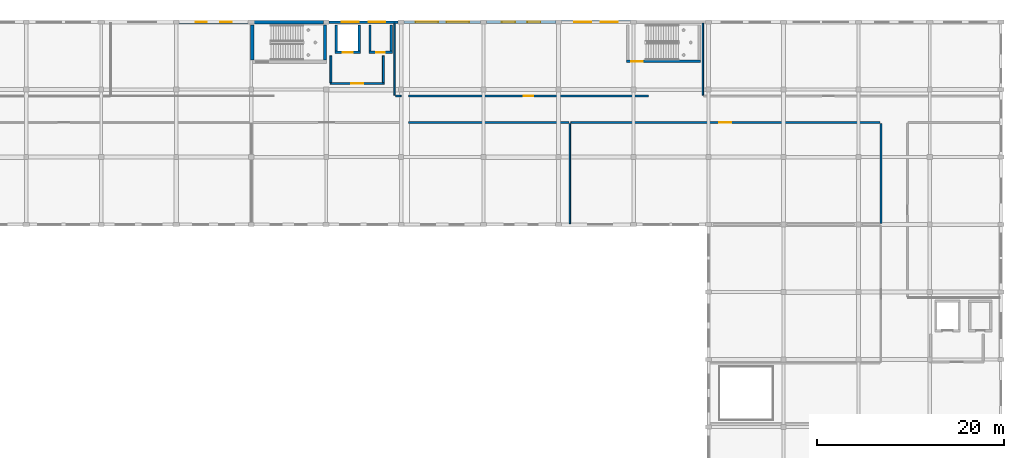
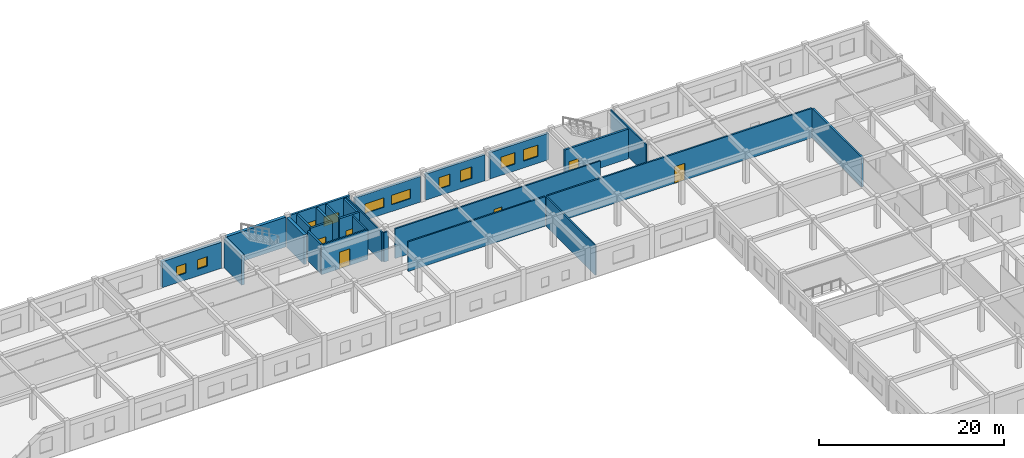
# One storey, part 13 of 19: 26 walls, 10 windows, 6 doors, 16 openings.
"""IFC4 building model written with IfcOpenShell, lengths in metres."""

from ifc_helpers import new_model, si_unit, direction, frame, frame_2d, origin, place, context, subcontext, project, spatial, rectangle, extrude, material, layer, layer_set, type_object, element, fill, save


model = new_model("IFC4")

# Units and contexts
model_context = context("Model", 3, precision=1e-05, world=origin(), true_north=direction((0.0, 1.0)))
body_context = subcontext(model_context, "Body", "Model", "MODEL_VIEW")
ifc_project = project(units=[si_unit("LENGTHUNIT", "METRE"), si_unit("AREAUNIT", "SQUARE_METRE"), si_unit("VOLUMEUNIT", "CUBIC_METRE"), si_unit("PLANEANGLEUNIT", "RADIAN"), si_unit("MASSUNIT", "GRAM", prefix="KILO")], contexts=[model_context])

# Site, building, storey
site_placement = place(None, origin())
site = spatial("IfcSite", under=ifc_project, at=site_placement, CompositionType="ELEMENT")
building_placement = place(site_placement, origin())
building = spatial("IfcBuilding", under=site, at=building_placement, Name="Kharva Crest Polytechnic", CompositionType="ELEMENT")
storey_placement = place(building_placement, frame((0.0, 0.0, 21.60009765625)))
storey = spatial("IfcBuildingStorey", under=building, at=storey_placement, Name="L05", CompositionType="ELEMENT", Elevation=21.60009765625)

# Walls
ifc_material_1 = material(Name="Concrete C40/50", Category="concrete")
ifc_layer_1 = layer(ifc_material_1, 0.35009765625, Name="Concrete C40/50")
ifc_layer_set_1 = layer_set([ifc_layer_1], Name="Concrete C40/50")
wall_type_1 = type_object("IfcWallType", Name="WL-CORE-CW1-350", PredefinedType="SHEAR", material=ifc_layer_set_1)
for number, where, z_axis, x_axis, name in (
    (1, (104.125, 117.93994140625, 0.0), (0.0, 0.0, 1.0), (0.0, 1.0, 0.0), "L05 North Crest Firefighting Core C4 West Shear Wall"),
    (2, (111.875, 117.93994140625, 0.0), (0.0, 0.0, 1.0), (0.0, 1.0, 0.0), "L05 North Crest Firefighting Core C4 East Shear Wall"),
):
    element("IfcWall", number, at=place(storey_placement, frame(where, z_axis=z_axis, x_axis=x_axis)), inside=storey, type_object=wall_type_1, Name=name, PredefinedType="SHEAR", context=body_context, shape_type="SweptSolid", body=[
        extrude(rectangle(XDim=3.760009765625, YDim=0.35009765625, at=frame_2d((1.8798828125, 0.0))), origin(), (0.0, 0.0, 1.0), 3.919921875),
    ])

# Wall, openings, windows
ifc_material_2 = material(Name="Kiln brick masonry", Category="masonry")
ifc_layer_2 = layer(ifc_material_2, 0.260009765625, Name="Kiln brick masonry")
ifc_layer_set_2 = layer_set([ifc_layer_2], Name="Kiln brick masonry")
wall_type_2 = type_object("IfcWallType", Name="WL-EXT-BRK-260", PredefinedType="SOLIDWALL", material=ifc_layer_set_2)
wall_1_placement = place(storey_placement, frame((119.679931640625, 122.0, 0.0), z_axis=(0.0, 0.0, 1.0), x_axis=(-1.0, 0.0, 0.0)))
wall_1 = element("IfcWall", 3, at=wall_1_placement, inside=storey, type_object=wall_type_2, Name="L05 Exterior Brick Wall 431", PredefinedType="SOLIDWALL", context=body_context, shape_type="SweptSolid", body=[
    extrude(rectangle(XDim=7.375, YDim=0.260009765625, at=frame_2d((3.6875, 0.0))), origin(), (0.0, 0.0, 1.0), 3.919921875),
])
opening_1_placement = place(wall_1_placement, frame((1.364990234375, 0.0, 0.89990234375)))
opening_1 = element("IfcOpeningElement", 4, at=opening_1_placement, cuts=wall_1, Name="Opening W19", PredefinedType="OPENING", context=body_context, shape_type="SweptSolid", body=[
    extrude(rectangle(XDim=1.800048828125, YDim=1.25, at=frame_2d((0.89990234375, 0.625))), frame((0.0, 0.139892578125, 0.0), z_axis=(0.0, -1.0, 0.0), x_axis=(1.0, 0.0, 0.0)), (0.0, 0.0, 1.0), 0.280029296875),
])
opening_2_placement = place(wall_1_placement, frame((4.2099609375, 0.0, 0.89990234375)))
opening_2 = element("IfcOpeningElement", 5, at=opening_2_placement, cuts=wall_1, Name="Opening W19", PredefinedType="OPENING", context=body_context, shape_type="SweptSolid", body=[
    extrude(rectangle(XDim=1.800048828125, YDim=1.25, at=frame_2d((0.89990234375, 0.625))), frame((0.0, 0.139892578125, 0.0), z_axis=(0.0, -1.0, 0.0), x_axis=(1.0, 0.0, 0.0)), (0.0, 0.0, 1.0), 0.280029296875),
])
ifc_material_3 = material(Name="Anodised aluminium", Category="aluminium")
window_type_1 = type_object("IfcWindowType", Name="WIN-ALU-1800X1250", PartitioningType="SINGLE_PANEL", PredefinedType="WINDOW", material=ifc_material_3)
window_1_placement = place(opening_1_placement, origin())
window_1 = element("IfcWindow", 6, at=window_1_placement, inside=storey, type_object=window_type_1, Name="L05 Exterior Window 613", OverallHeight=1.25, OverallWidth=1.800048828125, PartitioningType="SINGLE_PANEL", PredefinedType="WINDOW", context=body_context, shape_type="SweptSolid", body=[
    extrude(rectangle(XDim=1.800048828125, YDim=1.25, at=frame_2d((0.89990234375, 0.625))), frame((0.0, 0.030029296875, 0.0), z_axis=(0.0, -1.0, 0.0), x_axis=(1.0, 0.0, 0.0)), (0.0, 0.0, 1.0), 0.06005859375),
])
fill(opening_1, window_1)
window_2_placement = place(opening_2_placement, origin())
window_2 = element("IfcWindow", 7, at=window_2_placement, inside=storey, type_object=window_type_1, Name="L05 Exterior Window 614", OverallHeight=1.25, OverallWidth=1.800048828125, PartitioningType="SINGLE_PANEL", PredefinedType="WINDOW", context=body_context, shape_type="SweptSolid", body=[
    extrude(rectangle(XDim=1.800048828125, YDim=1.25, at=frame_2d((0.89990234375, 0.625))), frame((0.0, 0.030029296875, 0.0), z_axis=(0.0, -1.0, 0.0), x_axis=(1.0, 0.0, 0.0)), (0.0, 0.0, 1.0), 0.06005859375),
])
fill(opening_2, window_2)

ifc_layer_3 = layer(ifc_material_2, 0.27490234375, Name="Kiln brick masonry")
ifc_layer_set_3 = layer_set([ifc_layer_3], Name="Kiln brick masonry")
wall_type_3 = type_object("IfcWallType", Name="WL-EXT-BRK-275", PredefinedType="SOLIDWALL", material=ifc_layer_set_3)
wall_2_placement = place(storey_placement, frame((128.47998046875, 122.0, 0.0), z_axis=(0.0, 0.0, 1.0), x_axis=(-1.0, 0.0, 0.0)))
wall_2 = element("IfcWall", 8, at=wall_2_placement, inside=storey, type_object=wall_type_3, Name="L05 Exterior Brick Wall 430", PredefinedType="SOLIDWALL", context=body_context, shape_type="SweptSolid", body=[
    extrude(rectangle(XDim=8.159912109375, YDim=0.27490234375, at=frame_2d((4.080078125, 0.0))), origin(), (0.0, 0.0, 1.0), 3.3798828125),
])
opening_3_placement = place(wall_2_placement, frame((1.22705078125, 0.0, 0.89990234375)))
opening_3 = element("IfcOpeningElement", 9, at=opening_3_placement, cuts=wall_2, Name="Opening W17", PredefinedType="OPENING", context=body_context, shape_type="SweptSolid", body=[
    extrude(rectangle(XDim=2.39990234375, YDim=1.25, at=frame_2d((1.199951171875, 0.625))), frame((0.0, 0.1474609375, 0.0), z_axis=(0.0, -1.0, 0.0), x_axis=(1.0, 0.0, 0.0)), (0.0, 0.0, 1.0), 0.294921875),
])
opening_4_placement = place(wall_2_placement, frame((4.532958984375, 0.0, 0.89990234375)))
opening_4 = element("IfcOpeningElement", 10, at=opening_4_placement, cuts=wall_2, Name="Opening W17", PredefinedType="OPENING", context=body_context, shape_type="SweptSolid", body=[
    extrude(rectangle(XDim=2.39990234375, YDim=1.25, at=frame_2d((1.199951171875, 0.625))), frame((0.0, 0.1474609375, 0.0), z_axis=(0.0, -1.0, 0.0), x_axis=(1.0, 0.0, 0.0)), (0.0, 0.0, 1.0), 0.294921875),
])
window_type_2 = type_object("IfcWindowType", Name="WIN-ALU-2400X1250", PartitioningType="SINGLE_PANEL", PredefinedType="WINDOW", material=ifc_material_3)
window_3_placement = place(opening_3_placement, origin())
window_3 = element("IfcWindow", 11, at=window_3_placement, inside=storey, type_object=window_type_2, Name="L05 Exterior Window 611", OverallHeight=1.25, OverallWidth=2.39990234375, PartitioningType="SINGLE_PANEL", PredefinedType="WINDOW", context=body_context, shape_type="SweptSolid", body=[
    extrude(rectangle(XDim=2.39990234375, YDim=1.25, at=frame_2d((1.199951171875, 0.625))), frame((0.0, 0.030029296875, 0.0), z_axis=(0.0, -1.0, 0.0), x_axis=(1.0, 0.0, 0.0)), (0.0, 0.0, 1.0), 0.06005859375),
])
fill(opening_3, window_3)
window_4_placement = place(opening_4_placement, origin())
window_4 = element("IfcWindow", 12, at=window_4_placement, inside=storey, type_object=window_type_2, Name="L05 Exterior Window 612", OverallHeight=1.25, OverallWidth=2.39990234375, PartitioningType="SINGLE_PANEL", PredefinedType="WINDOW", context=body_context, shape_type="SweptSolid", body=[
    extrude(rectangle(XDim=2.39990234375, YDim=1.25, at=frame_2d((1.199951171875, 0.625))), frame((0.0, 0.030029296875, 0.0), z_axis=(0.0, -1.0, 0.0), x_axis=(1.0, 0.0, 0.0)), (0.0, 0.0, 1.0), 0.06005859375),
])
fill(opening_4, window_4)

ifc_layer_4 = layer(ifc_material_2, 0.2900390625, Name="Kiln brick masonry")
ifc_layer_set_4 = layer_set([ifc_layer_4], Name="Kiln brick masonry")
wall_type_4 = type_object("IfcWallType", Name="WL-EXT-BRK-290", PredefinedType="SOLIDWALL", material=ifc_layer_set_4)
wall_3_placement = place(storey_placement, frame((136.4951171875, 122.0, 0.0), z_axis=(0.0, 0.0, 1.0), x_axis=(-1.0, 0.0, 0.0)))
wall_3 = element("IfcWall", 13, at=wall_3_placement, inside=storey, type_object=wall_type_4, Name="L05 Exterior Brick Wall 429", PredefinedType="SOLIDWALL", context=body_context, shape_type="SweptSolid", body=[
    extrude(rectangle(XDim=7.375, YDim=0.2900390625, at=frame_2d((3.6875, 0.0))), origin(), (0.0, 0.0, 1.0), 3.429931640625),
])
opening_5_placement = place(wall_3_placement, frame((1.632080078125, 0.0, 0.89990234375)))
opening_5 = element("IfcOpeningElement", 14, at=opening_5_placement, cuts=wall_3, Name="Opening W15", PredefinedType="OPENING", context=body_context, shape_type="SweptSolid", body=[
    extrude(rectangle(XDim=1.39990234375, YDim=1.5, at=frame_2d((0.699951171875, 0.75))), frame((0.0, 0.155029296875, 0.0), z_axis=(0.0, -1.0, 0.0), x_axis=(1.0, 0.0, 0.0)), (0.0, 0.0, 1.0), 0.31005859375),
])
opening_6_placement = place(wall_3_placement, frame((4.343017578125, 0.0, 0.89990234375)))
opening_6 = element("IfcOpeningElement", 15, at=opening_6_placement, cuts=wall_3, Name="Opening W15", PredefinedType="OPENING", context=body_context, shape_type="SweptSolid", body=[
    extrude(rectangle(XDim=1.39990234375, YDim=1.5, at=frame_2d((0.699951171875, 0.75))), frame((0.0, 0.155029296875, 0.0), z_axis=(0.0, -1.0, 0.0), x_axis=(1.0, 0.0, 0.0)), (0.0, 0.0, 1.0), 0.31005859375),
])
window_type_3 = type_object("IfcWindowType", Name="WIN-ALU-1400X1500", PartitioningType="SINGLE_PANEL", PredefinedType="WINDOW", material=ifc_material_3)
window_5_placement = place(opening_5_placement, origin())
window_5 = element("IfcWindow", 16, at=window_5_placement, inside=storey, type_object=window_type_3, Name="L05 Exterior Window 609", OverallHeight=1.5, OverallWidth=1.39990234375, PartitioningType="SINGLE_PANEL", PredefinedType="WINDOW", context=body_context, shape_type="SweptSolid", body=[
    extrude(rectangle(XDim=1.39990234375, YDim=1.5, at=frame_2d((0.699951171875, 0.75))), frame((0.0, 0.030029296875, 0.0), z_axis=(0.0, -1.0, 0.0), x_axis=(1.0, 0.0, 0.0)), (0.0, 0.0, 1.0), 0.06005859375),
])
fill(opening_5, window_5)
window_6_placement = place(opening_6_placement, origin())
window_6 = element("IfcWindow", 17, at=window_6_placement, inside=storey, type_object=window_type_3, Name="L05 Exterior Window 610", OverallHeight=1.5, OverallWidth=1.39990234375, PartitioningType="SINGLE_PANEL", PredefinedType="WINDOW", context=body_context, shape_type="SweptSolid", body=[
    extrude(rectangle(XDim=1.39990234375, YDim=1.5, at=frame_2d((0.699951171875, 0.75))), frame((0.0, 0.030029296875, 0.0), z_axis=(0.0, -1.0, 0.0), x_axis=(1.0, 0.0, 0.0)), (0.0, 0.0, 1.0), 0.06005859375),
])
fill(opening_6, window_6)

ifc_layer_5 = layer(ifc_material_2, 0.304931640625, Name="Kiln brick masonry")
ifc_layer_set_5 = layer_set([ifc_layer_5], Name="Kiln brick masonry")
wall_type_5 = type_object("IfcWallType", Name="WL-EXT-BRK-305", PredefinedType="SOLIDWALL", material=ifc_layer_set_5)
wall_4_placement = place(storey_placement, frame((144.47998046875, 122.0, 0.0), z_axis=(0.0, 0.0, 1.0), x_axis=(-1.0, 0.0, 0.0)))
wall_4 = element("IfcWall", 18, at=wall_4_placement, inside=storey, type_object=wall_type_5, Name="L05 Exterior Brick Wall 428", PredefinedType="SOLIDWALL", context=body_context, shape_type="SweptSolid", body=[
    extrude(rectangle(XDim=7.375, YDim=0.304931640625, at=frame_2d((3.6875, 0.0))), origin(), (0.0, 0.0, 1.0), 3.47998046875),
])
opening_7_placement = place(wall_4_placement, frame((1.364990234375, 0.0, 0.89990234375)))
opening_7 = element("IfcOpeningElement", 19, at=opening_7_placement, cuts=wall_4, Name="Opening W13", PredefinedType="OPENING", context=body_context, shape_type="SweptSolid", body=[
    extrude(rectangle(XDim=1.800048828125, YDim=1.5, at=frame_2d((0.89990234375, 0.75))), frame((0.0, 0.162353515625, 0.0), z_axis=(0.0, -1.0, 0.0), x_axis=(1.0, 0.0, 0.0)), (0.0, 0.0, 1.0), 0.324951171875),
])
opening_8_placement = place(wall_4_placement, frame((4.2099609375, 0.0, 0.89990234375)))
opening_8 = element("IfcOpeningElement", 20, at=opening_8_placement, cuts=wall_4, Name="Opening W13", PredefinedType="OPENING", context=body_context, shape_type="SweptSolid", body=[
    extrude(rectangle(XDim=1.800048828125, YDim=1.5, at=frame_2d((0.89990234375, 0.75))), frame((0.0, 0.162353515625, 0.0), z_axis=(0.0, -1.0, 0.0), x_axis=(1.0, 0.0, 0.0)), (0.0, 0.0, 1.0), 0.324951171875),
])
window_type_4 = type_object("IfcWindowType", Name="WIN-ALU-1800X1500", PartitioningType="SINGLE_PANEL", PredefinedType="WINDOW", material=ifc_material_3)
window_7_placement = place(opening_7_placement, origin())
window_7 = element("IfcWindow", 21, at=window_7_placement, inside=storey, type_object=window_type_4, Name="L05 Exterior Window 607", OverallHeight=1.5, OverallWidth=1.800048828125, PartitioningType="SINGLE_PANEL", PredefinedType="WINDOW", context=body_context, shape_type="SweptSolid", body=[
    extrude(rectangle(XDim=1.800048828125, YDim=1.5, at=frame_2d((0.89990234375, 0.75))), frame((0.0, 0.030029296875, 0.0), z_axis=(0.0, -1.0, 0.0), x_axis=(1.0, 0.0, 0.0)), (0.0, 0.0, 1.0), 0.06005859375),
])
fill(opening_7, window_7)
window_8_placement = place(opening_8_placement, origin())
window_8 = element("IfcWindow", 22, at=window_8_placement, inside=storey, type_object=window_type_4, Name="L05 Exterior Window 608", OverallHeight=1.5, OverallWidth=1.800048828125, PartitioningType="SINGLE_PANEL", PredefinedType="WINDOW", context=body_context, shape_type="SweptSolid", body=[
    extrude(rectangle(XDim=1.800048828125, YDim=1.5, at=frame_2d((0.89990234375, 0.75))), frame((0.0, 0.030029296875, 0.0), z_axis=(0.0, -1.0, 0.0), x_axis=(1.0, 0.0, 0.0)), (0.0, 0.0, 1.0), 0.06005859375),
])
fill(opening_8, window_8)

ifc_layer_6 = layer(ifc_material_2, 0.364990234375, Name="Kiln brick masonry")
ifc_layer_set_6 = layer_set([ifc_layer_6], Name="Kiln brick masonry")
wall_type_6 = type_object("IfcWallType", Name="WL-EXT-BRK-365", PredefinedType="SOLIDWALL", material=ifc_layer_set_6)
wall_5_placement = place(storey_placement, frame((103.679931640625, 122.0, 0.0), z_axis=(0.0, 0.0, 1.0), x_axis=(-1.0, 0.0, 0.0)))
wall_5 = element("IfcWall", 23, at=wall_5_placement, inside=storey, type_object=wall_type_6, Name="L05 Exterior Brick Wall 433", PredefinedType="SOLIDWALL", context=body_context, shape_type="SweptSolid", body=[
    extrude(rectangle(XDim=7.375, YDim=0.364990234375, at=frame_2d((3.6875, 0.0))), origin(), (0.0, 0.0, 1.0), 3.429931640625),
])
opening_9_placement = place(wall_5_placement, frame((1.764892578125, 0.0, 0.89990234375)))
opening_9 = element("IfcOpeningElement", 24, at=opening_9_placement, cuts=wall_5, Name="Opening W21", PredefinedType="OPENING", context=body_context, shape_type="SweptSolid", body=[
    extrude(rectangle(XDim=1.199951171875, YDim=1.25, at=frame_2d((0.60009765625, 0.625))), frame((0.0, 0.1923828125, 0.0), z_axis=(0.0, -1.0, 0.0), x_axis=(1.0, 0.0, 0.0)), (0.0, 0.0, 1.0), 0.385009765625),
])
opening_10_placement = place(wall_5_placement, frame((4.409912109375, 0.0, 0.89990234375)))
opening_10 = element("IfcOpeningElement", 25, at=opening_10_placement, cuts=wall_5, Name="Opening W21", PredefinedType="OPENING", context=body_context, shape_type="SweptSolid", body=[
    extrude(rectangle(XDim=1.199951171875, YDim=1.25, at=frame_2d((0.60009765625, 0.625))), frame((0.0, 0.1923828125, 0.0), z_axis=(0.0, -1.0, 0.0), x_axis=(1.0, 0.0, 0.0)), (0.0, 0.0, 1.0), 0.385009765625),
])
window_type_5 = type_object("IfcWindowType", Name="WIN-ALU-1200X1250", PartitioningType="SINGLE_PANEL", PredefinedType="WINDOW", material=ifc_material_3)
window_9_placement = place(opening_9_placement, origin())
window_9 = element("IfcWindow", 26, at=window_9_placement, inside=storey, type_object=window_type_5, Name="L05 Exterior Window 615", OverallHeight=1.25, OverallWidth=1.199951171875, PartitioningType="SINGLE_PANEL", PredefinedType="WINDOW", context=body_context, shape_type="SweptSolid", body=[
    extrude(rectangle(XDim=1.199951171875, YDim=1.25, at=frame_2d((0.60009765625, 0.625))), frame((0.0, 0.030029296875, 0.0), z_axis=(0.0, -1.0, 0.0), x_axis=(1.0, 0.0, 0.0)), (0.0, 0.0, 1.0), 0.06005859375),
])
fill(opening_9, window_9)
window_10_placement = place(opening_10_placement, origin())
window_10 = element("IfcWindow", 27, at=window_10_placement, inside=storey, type_object=window_type_5, Name="L05 Exterior Window 616", OverallHeight=1.25, OverallWidth=1.199951171875, PartitioningType="SINGLE_PANEL", PredefinedType="WINDOW", context=body_context, shape_type="SweptSolid", body=[
    extrude(rectangle(XDim=1.199951171875, YDim=1.25, at=frame_2d((0.60009765625, 0.625))), frame((0.0, 0.030029296875, 0.0), z_axis=(0.0, -1.0, 0.0), x_axis=(1.0, 0.0, 0.0)), (0.0, 0.0, 1.0), 0.06005859375),
])
fill(opening_10, window_10)

# Wall
ifc_layer_7 = layer(ifc_material_2, 0.3798828125, Name="Kiln brick masonry")
ifc_layer_set_7 = layer_set([ifc_layer_7], Name="Kiln brick masonry")
wall_type_7 = type_object("IfcWallType", Name="WL-EXT-BRK-380", PredefinedType="SOLIDWALL", material=ifc_layer_set_7)
wall_6_placement = place(storey_placement, frame((111.695068359375, 122.0, 0.0), z_axis=(0.0, 0.0, 1.0), x_axis=(-1.0, 0.0, 0.0)))
element("IfcWall", 28, at=wall_6_placement, inside=storey, type_object=wall_type_7, Name="L05 Exterior Brick Wall 432", PredefinedType="SOLIDWALL", context=body_context, shape_type="SweptSolid", body=[
    extrude(rectangle(XDim=7.375, YDim=0.3798828125, at=frame_2d((3.6875, 0.0))), origin(), (0.0, 0.0, 1.0), 3.919921875),
])

# Wall, opening, door
ifc_layer_8 = layer(ifc_material_2, 0.199951171875, Name="Kiln brick masonry")
ifc_layer_set_8 = layer_set([ifc_layer_8], Name="Kiln brick masonry")
wall_type_8 = type_object("IfcWallType", Name="WL-FIRE-FW1-200", PredefinedType="SOLIDWALL", material=ifc_layer_set_8)
wall_7_placement = place(storey_placement, frame((112.39990234375, 115.449951171875, 0.0), z_axis=(0.0, 0.0, 1.0), x_axis=(1.0, 0.0, 0.0)))
wall_7 = element("IfcWall", 29, at=wall_7_placement, inside=storey, type_object=wall_type_8, Name="L05 Firefighting Lobby FL1 South Wall", PredefinedType="SOLIDWALL", context=body_context, shape_type="SweptSolid", body=[
    extrude(rectangle(XDim=5.800048828125, YDim=0.199951171875, at=frame_2d((2.89990234375, 0.0))), origin(), (0.0, 0.0, 1.0), 3.919921875),
])
opening_11_placement = place(wall_7_placement, frame((2.25, 0.0, 0.0)))
opening_11 = element("IfcOpeningElement", 30, at=opening_11_placement, cuts=wall_7, Name="Opening FD2", PredefinedType="OPENING", context=body_context, shape_type="SweptSolid", body=[
    extrude(rectangle(XDim=1.300048828125, YDim=2.199951171875, at=frame_2d((0.64990234375, 1.10009765625))), frame((0.0, 0.10986328125, 0.0), z_axis=(0.0, -1.0, 0.0), x_axis=(1.0, 0.0, 0.0)), (0.0, 0.0, 1.0), 0.219970703125),
])
ifc_material_4 = material(Name="Teak timber", Category="wood")
door_type_1 = type_object("IfcDoorType", Name="DR-FFLOB-1300X2200", OperationType="NOTDEFINED", PredefinedType="DOOR", material=ifc_material_4)
door_1_placement = place(opening_11_placement, origin())
door_1 = element("IfcDoor", 31, at=door_1_placement, inside=storey, type_object=door_type_1, Name="L05 Firefighting Lobby FL1 Smoke Door", OperationType="SINGLE_SWING_LEFT", OverallHeight=2.199951171875, OverallWidth=1.300048828125, PredefinedType="DOOR", context=body_context, shape_type="SweptSolid", body=[
    extrude(rectangle(XDim=1.300048828125, YDim=2.199951171875, at=frame_2d((0.64990234375, 1.10009765625))), frame((0.0, 0.02490234375, 0.0), z_axis=(0.0, -1.0, 0.0), x_axis=(1.0, 0.0, 0.0)), (0.0, 0.0, 1.0), 0.050048828125),
])
fill(opening_11, door_1)

# Walls
for number, where, z_axis, x_axis, name in (
    (32, (112.5, 115.550048828125, 0.0), (0.0, 0.0, 1.0), (0.0, 1.0, 0.0), "L05 Firefighting Lobby FL1 West Wall"),
    (33, (118.10009765625, 115.550048828125, 0.0), (0.0, 0.0, 1.0), (0.0, 1.0, 0.0), "L05 Firefighting Lobby FL1 East Wall"),
):
    element("IfcWall", number, at=place(storey_placement, frame(where, z_axis=z_axis, x_axis=x_axis)), inside=storey, type_object=wall_type_8, Name=name, PredefinedType="SOLIDWALL", context=body_context, shape_type="SweptSolid", body=[
        extrude(rectangle(XDim=2.849853515625, YDim=0.199951171875, at=frame_2d((1.4248046875, 0.0))), origin(), (0.0, 0.0, 1.0), 3.919921875),
    ])

# Wall, opening, door
wall_8_placement = place(storey_placement, frame((138.1201171875, 111.2900390625, 0.0), z_axis=(0.0, 0.0, 1.0), x_axis=(1.0, 0.0, 0.0)))
wall_8 = element("IfcWall", 34, at=wall_8_placement, inside=storey, type_object=wall_type_8, Name="L05 Interior Partition 375", PredefinedType="SOLIDWALL", context=body_context, shape_type="SweptSolid", body=[
    extrude(rectangle(XDim=32.9599609375, YDim=0.199951171875, at=frame_2d((16.47998046875, 0.0))), origin(), (0.0, 0.0, 1.0), 3.89990234375),
])
opening_12_placement = place(wall_8_placement, frame((15.840087890625, 0.0, 0.0)))
opening_12 = element("IfcOpeningElement", 35, at=opening_12_placement, cuts=wall_8, Name="Opening ID7", PredefinedType="OPENING", context=body_context, shape_type="SweptSolid", body=[
    extrude(rectangle(XDim=1.280029296875, YDim=2.199951171875, at=frame_2d((0.64013671875, 1.10009765625))), frame((0.0, 0.10986328125, 0.0), z_axis=(0.0, -1.0, 0.0), x_axis=(1.0, 0.0, 0.0)), (0.0, 0.0, 1.0), 0.219970703125),
])
door_type_2 = type_object("IfcDoorType", Name="DR-LAB-1280X2200", OperationType="NOTDEFINED", PredefinedType="DOOR", material=ifc_material_4)
door_2_placement = place(opening_12_placement, origin())
door_2 = element("IfcDoor", 36, at=door_2_placement, inside=storey, type_object=door_type_2, Name="L05 Advanced Materials Testing Laboratory Door", OperationType="SINGLE_SWING_LEFT", OverallHeight=2.199951171875, OverallWidth=1.280029296875, PredefinedType="DOOR", context=body_context, shape_type="SweptSolid", body=[
    extrude(rectangle(XDim=1.280029296875, YDim=2.199951171875, at=frame_2d((0.64013671875, 1.10009765625))), frame((0.0, 0.02490234375, 0.0), z_axis=(0.0, -1.0, 0.0), x_axis=(1.0, 0.0, 0.0)), (0.0, 0.0, 1.0), 0.050048828125),
])
fill(opening_12, door_2)

# Walls
ifc_layer_9 = layer(ifc_material_2, 0.14990234375, Name="Kiln brick masonry")
ifc_layer_set_9 = layer_set([ifc_layer_9], Name="Kiln brick masonry")
wall_type_9 = type_object("IfcWallType", Name="WL-PART-150", PredefinedType="PARTITIONING", material=ifc_layer_set_9)
wall_9_placement = place(storey_placement, frame((152.199951171875, 114.2099609375, 0.0), z_axis=(0.0, 0.0, 1.0), x_axis=(0.0, 1.0, 0.0)))
element("IfcWall", 37, at=wall_9_placement, inside=storey, type_object=wall_type_9, Name="L05 Interior Partition 383", PredefinedType="PARTITIONING", context=body_context, shape_type="SweptSolid", body=[
    extrude(rectangle(XDim=7.679931640625, YDim=0.14990234375, at=frame_2d((3.83984375, 0.0))), origin(), (0.0, 0.0, 1.0), 3.89990234375),
])
ifc_layer_10 = layer(ifc_material_2, 0.169921875, Name="Kiln brick masonry")
ifc_layer_set_10 = layer_set([ifc_layer_10], Name="Kiln brick masonry")
wall_type_10 = type_object("IfcWallType", Name="WL-PART-170", PredefinedType="PARTITIONING", material=ifc_layer_set_10)
wall_10_placement = place(storey_placement, frame((138.0, 100.510009765625, 0.0), z_axis=(0.0, 0.0, 1.0), x_axis=(0.0, 1.0, 0.0)))
element("IfcWall", 38, at=wall_10_placement, inside=storey, type_object=wall_type_10, Name="L05 Interior Partition 371", PredefinedType="PARTITIONING", context=body_context, shape_type="SweptSolid", body=[
    extrude(rectangle(XDim=10.669921875, YDim=0.169921875, at=frame_2d((5.3349609375, 0.0))), origin(), (0.0, 0.0, 1.0), 3.89990234375),
])
wall_11_placement = place(storey_placement, frame((119.300048828125, 114.219970703125, 0.0), z_axis=(0.0, 0.0, 1.0), x_axis=(0.0, 1.0, 0.0)))
element("IfcWall", 39, at=wall_11_placement, inside=storey, type_object=wall_type_10, Name="L05 Interior Partition 381", PredefinedType="PARTITIONING", context=body_context, shape_type="SweptSolid", body=[
    extrude(rectangle(XDim=7.669921875, YDim=0.169921875, at=frame_2d((3.8349609375, 0.0))), origin(), (0.0, 0.0, 1.0), 3.89990234375),
])
ifc_layer_11 = layer(ifc_material_2, 0.179931640625, Name="Kiln brick masonry")
ifc_layer_set_11 = layer_set([ifc_layer_11], Name="Kiln brick masonry")
wall_type_11 = type_object("IfcWallType", Name="WL-PART-180", PredefinedType="PARTITIONING", material=ifc_layer_set_11)
wall_12_placement = place(storey_placement, frame((120.800048828125, 111.2900390625, 0.0), z_axis=(0.0, 0.0, 1.0), x_axis=(1.0, 0.0, 0.0)))
element("IfcWall", 40, at=wall_12_placement, inside=storey, type_object=wall_type_11, Name="L05 Interior Partition 370 E", PredefinedType="PARTITIONING", context=body_context, shape_type="SweptSolid", body=[
    extrude(rectangle(XDim=17.08984375, YDim=0.179931640625, at=frame_2d((8.544921875, 0.0))), origin(), (0.0, 0.0, 1.0), 3.89990234375),
])
wall_13_placement = place(storey_placement, frame((119.409912109375, 114.110107421875, 0.0), z_axis=(0.0, 0.0, 1.0), x_axis=(1.0, 0.0, 0.0)))
element("IfcWall", 41, at=wall_13_placement, inside=storey, type_object=wall_type_11, Name="L05 Interior Partition 380 W", PredefinedType="PARTITIONING", context=body_context, shape_type="SweptSolid", body=[
    extrude(rectangle(XDim=0.590087890625, YDim=0.179931640625, at=frame_2d((0.294921875, 0.0))), origin(), (0.0, 0.0, 1.0), 3.89990234375),
])

# Wall, opening, door
wall_14_placement = place(storey_placement, frame((120.800048828125, 114.110107421875, 0.0), z_axis=(0.0, 0.0, 1.0), x_axis=(1.0, 0.0, 0.0)))
wall_14 = element("IfcWall", 42, at=wall_14_placement, inside=storey, type_object=wall_type_11, Name="L05 Interior Partition 380 E", PredefinedType="PARTITIONING", context=body_context, shape_type="SweptSolid", body=[
    extrude(rectangle(XDim=25.579833984375, YDim=0.179931640625, at=frame_2d((12.7900390625, 0.0))), origin(), (0.0, 0.0, 1.0), 3.89990234375),
])
opening_13_placement = place(wall_14_placement, frame((12.2900390625, 0.0, 0.0)))
opening_13 = element("IfcOpeningElement", 43, at=opening_13_placement, cuts=wall_14, Name="Opening ID12", PredefinedType="OPENING", context=body_context, shape_type="SweptSolid", body=[
    extrude(rectangle(XDim=1.0, YDim=2.14990234375, at=frame_2d((0.5, 1.074951171875))), frame((0.0, 0.099853515625, 0.0), z_axis=(0.0, -1.0, 0.0), x_axis=(1.0, 0.0, 0.0)), (0.0, 0.0, 1.0), 0.199951171875),
])
door_type_3 = type_object("IfcDoorType", Name="DR-OFF-1000X2150", OperationType="NOTDEFINED", PredefinedType="DOOR", material=ifc_material_4)
door_3_placement = place(opening_13_placement, origin())
door_3 = element("IfcDoor", 44, at=door_3_placement, inside=storey, type_object=door_type_3, Name="L05 Graduate Research Office L05-B Door", OperationType="SINGLE_SWING_RIGHT", OverallHeight=2.14990234375, OverallWidth=1.0, PredefinedType="DOOR", context=body_context, shape_type="SweptSolid", body=[
    extrude(rectangle(XDim=1.0, YDim=2.14990234375, at=frame_2d((0.5, 1.074951171875))), frame((0.0, 0.02490234375, 0.0), z_axis=(0.0, -1.0, 0.0), x_axis=(1.0, 0.0, 0.0)), (0.0, 0.0, 1.0), 0.050048828125),
])
fill(opening_13, door_3)

# Wall
ifc_layer_12 = layer(ifc_material_2, 0.22509765625, Name="Kiln brick masonry")
ifc_layer_set_12 = layer_set([ifc_layer_12], Name="Kiln brick masonry")
wall_type_12 = type_object("IfcWallType", Name="WL-PART-225", PredefinedType="PARTITIONING", material=ifc_layer_set_12)
wall_15_placement = place(storey_placement, frame((171.18994140625, 100.510009765625, 0.0), z_axis=(0.0, 0.0, 1.0), x_axis=(0.0, 1.0, 0.0)))
element("IfcWall", 45, at=wall_15_placement, inside=storey, type_object=wall_type_12, Name="L05 Interior Partition 376", PredefinedType="PARTITIONING", context=body_context, shape_type="SweptSolid", body=[
    extrude(rectangle(XDim=10.669921875, YDim=0.22509765625, at=frame_2d((5.3349609375, 0.0))), origin(), (0.0, 0.0, 1.0), 3.89990234375),
])

# Wall, opening, door
ifc_layer_13 = layer(ifc_material_1, 0.25, Name="Concrete C40/50")
ifc_layer_set_13 = layer_set([ifc_layer_13], Name="Concrete C40/50")
wall_type_13 = type_object("IfcWallType", Name="WL-SHEAR-SW1-250", PredefinedType="SHEAR", material=ifc_layer_set_13)
wall_16_placement = place(storey_placement, frame((112.949951171875, 118.77490234375, 0.0), z_axis=(0.0, 0.0, 1.0), x_axis=(1.0, 0.0, 0.0)))
wall_16 = element("IfcWall", 46, at=wall_16_placement, inside=storey, type_object=wall_type_13, Name="L05 Lift FL1 South Shaft Wall", PredefinedType="SHEAR", context=body_context, shape_type="SweptSolid", body=[
    extrude(rectangle(XDim=2.699951171875, YDim=0.25, at=frame_2d((1.35009765625, 0.0))), origin(), (0.0, 0.0, 1.0), 3.919921875),
])
opening_14_placement = place(wall_16_placement, frame((0.800048828125, 0.0, 0.0)))
opening_14 = element("IfcOpeningElement", 47, at=opening_14_placement, cuts=wall_16, Name="Opening LD1", PredefinedType="OPENING", context=body_context, shape_type="SweptSolid", body=[
    extrude(rectangle(XDim=1.10009765625, YDim=2.14990234375, at=frame_2d((0.550048828125, 1.074951171875))), frame((0.0, 0.135009765625, 0.0), z_axis=(0.0, -1.0, 0.0), x_axis=(1.0, 0.0, 0.0)), (0.0, 0.0, 1.0), 0.27001953125),
])
door_type_4 = type_object("IfcDoorType", Name="DR-LIFT-LD1-1100X2150", OperationType="SLIDING_TO_LEFT", PredefinedType="DOOR", material=ifc_material_3)
door_4_placement = place(opening_14_placement, origin())
door_4 = element("IfcDoor", 48, at=door_4_placement, inside=storey, type_object=door_type_4, Name="L05 Lift FL1 Sliding Landing Door", OperationType="SLIDING_TO_LEFT", OverallHeight=2.14990234375, OverallWidth=1.10009765625, PredefinedType="DOOR", context=body_context, shape_type="SweptSolid", body=[
    extrude(rectangle(XDim=1.10009765625, YDim=2.14990234375, at=frame_2d((0.550048828125, 1.074951171875))), frame((0.0, 0.02490234375, 0.0), z_axis=(0.0, -1.0, 0.0), x_axis=(1.0, 0.0, 0.0)), (0.0, 0.0, 1.0), 0.050048828125),
])
fill(opening_14, door_4)

# Walls
for number, where, z_axis, x_axis, name in (
    (49, (113.074951171875, 118.89990234375, 0.0), (0.0, 0.0, 1.0), (0.0, 1.0, 0.0), "L05 Lift FL1 West Shaft Wall"),
    (50, (115.52490234375, 118.89990234375, 0.0), (0.0, 0.0, 1.0), (0.0, 1.0, 0.0), "L05 Lift FL1 East Shaft Wall"),
):
    element("IfcWall", number, at=place(storey_placement, frame(where, z_axis=z_axis, x_axis=x_axis)), inside=storey, type_object=wall_type_13, Name=name, PredefinedType="SHEAR", context=body_context, shape_type="SweptSolid", body=[
        extrude(rectangle(XDim=2.800048828125, YDim=0.25, at=frame_2d((1.39990234375, 0.0))), origin(), (0.0, 0.0, 1.0), 3.919921875),
    ])

# Wall, opening, door
wall_17_placement = place(storey_placement, frame((116.550048828125, 118.77490234375, 0.0), z_axis=(0.0, 0.0, 1.0), x_axis=(1.0, 0.0, 0.0)))
wall_17 = element("IfcWall", 51, at=wall_17_placement, inside=storey, type_object=wall_type_13, Name="L05 Core C4 Riser South Wall", PredefinedType="SHEAR", context=body_context, shape_type="SweptSolid", body=[
    extrude(rectangle(XDim=2.5, YDim=0.25, at=frame_2d((1.25, 0.0))), origin(), (0.0, 0.0, 1.0), 3.919921875),
])
opening_15_placement = place(wall_17_placement, frame((0.800048828125, 0.0, 0.0)))
opening_15 = element("IfcOpeningElement", 52, at=opening_15_placement, cuts=wall_17, Name="Opening FD3", PredefinedType="OPENING", context=body_context, shape_type="SweptSolid", body=[
    extrude(rectangle(XDim=0.89990234375, YDim=2.050048828125, at=frame_2d((0.449951171875, 1.02490234375))), frame((0.0, 0.135009765625, 0.0), z_axis=(0.0, -1.0, 0.0), x_axis=(1.0, 0.0, 0.0)), (0.0, 0.0, 1.0), 0.27001953125),
])
door_type_5 = type_object("IfcDoorType", Name="DR-RISER-900X2050", OperationType="NOTDEFINED", PredefinedType="DOOR", material=ifc_material_3)
door_5_placement = place(opening_15_placement, origin())
door_5 = element("IfcDoor", 53, at=door_5_placement, inside=storey, type_object=door_type_5, Name="L05 Core C4 Riser Access Door", OperationType="SINGLE_SWING_RIGHT", OverallHeight=2.050048828125, OverallWidth=0.89990234375, PredefinedType="DOOR", context=body_context, shape_type="SweptSolid", body=[
    extrude(rectangle(XDim=0.89990234375, YDim=2.050048828125, at=frame_2d((0.449951171875, 1.02490234375))), frame((0.0, 0.02490234375, 0.0), z_axis=(0.0, -1.0, 0.0), x_axis=(1.0, 0.0, 0.0)), (0.0, 0.0, 1.0), 0.050048828125),
])
fill(opening_15, door_5)

# Walls
for number, where, z_axis, x_axis, name in (
    (54, (116.675048828125, 118.89990234375, 0.0), (0.0, 0.0, 1.0), (0.0, 1.0, 0.0), "L05 Core C4 Riser West Wall"),
    (55, (118.925048828125, 118.89990234375, 0.0), (0.0, 0.0, 1.0), (0.0, 1.0, 0.0), "L05 Core C4 Riser East Wall"),
):
    element("IfcWall", number, at=place(storey_placement, frame(where, z_axis=z_axis, x_axis=x_axis)), inside=storey, type_object=wall_type_13, Name=name, PredefinedType="SHEAR", context=body_context, shape_type="SweptSolid", body=[
        extrude(rectangle(XDim=2.800048828125, YDim=0.25, at=frame_2d((1.39990234375, 0.0))), origin(), (0.0, 0.0, 1.0), 3.919921875),
    ])

# Wall, opening, door
wall_18_placement = place(storey_placement, frame((144.050048828125, 117.81494140625, 0.0), z_axis=(0.0, 0.0, 1.0), x_axis=(1.0, 0.0, 0.0)))
wall_18 = element("IfcWall", 56, at=wall_18_placement, inside=storey, type_object=wall_type_13, Name="L05 North-East Library Wing Stair C9 South Shear Wall", PredefinedType="SHEAR", context=body_context, shape_type="SweptSolid", body=[
    extrude(rectangle(XDim=7.89990234375, YDim=0.25, at=frame_2d((3.949951171875, 0.0))), origin(), (0.0, 0.0, 1.0), 3.919921875),
])
opening_16_placement = place(wall_18_placement, frame((0.5, 0.0, 0.0)))
opening_16 = element("IfcOpeningElement", 57, at=opening_16_placement, cuts=wall_18, Name="Opening FD1B", PredefinedType="OPENING", context=body_context, shape_type="SweptSolid", body=[
    extrude(rectangle(XDim=1.25, YDim=2.199951171875, at=frame_2d((0.625, 1.10009765625))), frame((0.0, 0.135009765625, 0.0), z_axis=(0.0, -1.0, 0.0), x_axis=(1.0, 0.0, 0.0)), (0.0, 0.0, 1.0), 0.27001953125),
])
door_type_6 = type_object("IfcDoorType", Name="DR-STAIR-1250X2200", OperationType="NOTDEFINED", PredefinedType="DOOR", material=ifc_material_4)
door_6_placement = place(opening_16_placement, origin())
door_6 = element("IfcDoor", 58, at=door_6_placement, inside=storey, type_object=door_type_6, Name="L05 ST-09 Stair Door", OperationType="SINGLE_SWING_LEFT", OverallHeight=2.199951171875, OverallWidth=1.25, PredefinedType="DOOR", context=body_context, shape_type="SweptSolid", body=[
    extrude(rectangle(XDim=1.25, YDim=2.199951171875, at=frame_2d((0.625, 1.10009765625))), frame((0.0, 0.02490234375, 0.0), z_axis=(0.0, -1.0, 0.0), x_axis=(1.0, 0.0, 0.0)), (0.0, 0.0, 1.0), 0.050048828125),
])
fill(opening_16, door_6)

save(model, "model.ifc")
